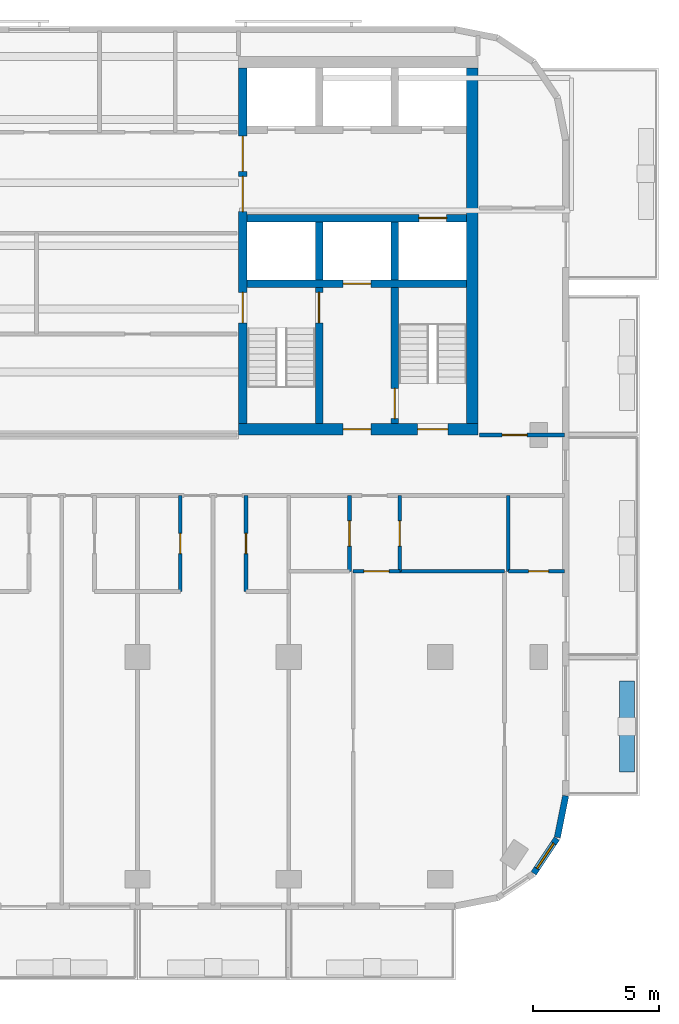
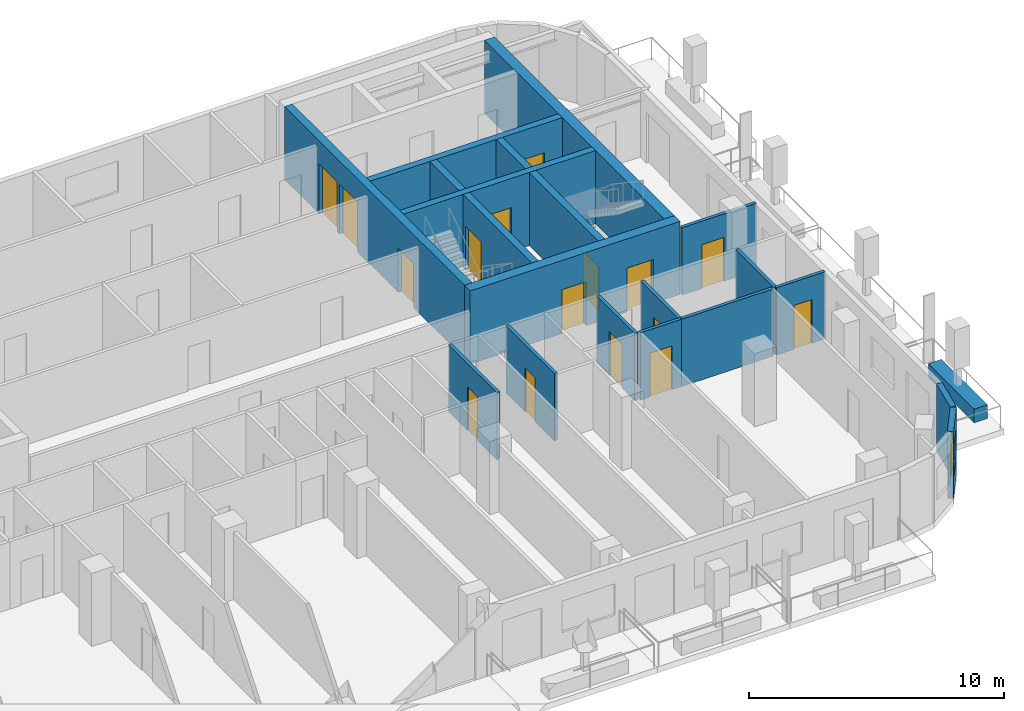
# One storey, part 5 of 11: 21 walls, 16 doors, 1 window, 17 openings.
"""IFC4 building model written with IfcOpenShell, lengths in metres."""

from ifc_helpers import new_model, si_unit, direction, frame, frame_2d, origin, place, context, subcontext, project, spatial, rectangle, extrude, material, layer, layer_set, type_object, element, fill, save


model = new_model("IFC4")

# Units and contexts
model_context = context("Model", 3, precision=1e-05, world=origin(), true_north=direction((0.0, 1.0)))
body_context = subcontext(model_context, "Body", "Model", "MODEL_VIEW")
ifc_project = project(units=[si_unit("LENGTHUNIT", "METRE"), si_unit("AREAUNIT", "SQUARE_METRE"), si_unit("VOLUMEUNIT", "CUBIC_METRE"), si_unit("PLANEANGLEUNIT", "RADIAN"), si_unit("MASSUNIT", "GRAM", prefix="KILO")], contexts=[model_context])

# Site, building, storey
site_placement = place(None, origin())
site = spatial("IfcSite", under=ifc_project, at=site_placement, CompositionType="ELEMENT")
building_placement = place(site_placement, origin())
building = spatial("IfcBuilding", under=site, at=building_placement, Name="Torana Hotel and Residences", CompositionType="ELEMENT")
storey_placement = place(building_placement, frame((0.0, 0.0, 280.60009765625)))
storey = spatial("IfcBuildingStorey", under=building, at=storey_placement, Name="L74", CompositionType="ELEMENT", Elevation=280.60009765625)

# Wall, opening, door
ifc_material_1 = material(Name="Concrete C60/75", Category="concrete")
ifc_layer_1 = layer(ifc_material_1, 0.300048828125)
ifc_layer_set_1 = layer_set([ifc_layer_1], Name="CORE WALL 300 C60/75")
wall_type_1 = type_object("IfcWallType", Name="CORE WALL 300 C60/75", PredefinedType="SHEAR", material=ifc_layer_set_1)
wall_1_placement = place(storey_placement, frame((10.35009765625, -6.39990234375, 0.0), z_axis=(0.0, 0.0, 1.0), x_axis=(1.0, 0.0, 0.0)))
wall_1 = element("IfcWall", 1, at=wall_1_placement, inside=storey, type_object=wall_type_1, Name="Core wall E row-S", PredefinedType="SHEAR", context=body_context, shape_type="SweptSolid", body=[
    extrude(rectangle(XDim=8.699951171875, YDim=0.300048828125, at=frame_2d((4.35009765625, 0.0))), origin(), (0.0, 0.0, 1.0), 3.5),
])
opening_1_placement = place(wall_1_placement, frame((6.800048828125, 0.0, 0.0)))
opening_1 = element("IfcOpeningElement", 2, at=opening_1_placement, cuts=wall_1, Name="Opening LD", PredefinedType="OPENING", context=body_context, shape_type="SweptSolid", body=[
    extrude(rectangle(XDim=1.10009765625, YDim=2.10009765625, at=frame_2d((0.550048828125, 1.050048828125))), frame((0.0, 0.159912109375, 0.0), z_axis=(0.0, -1.0, 0.0), x_axis=(1.0, 0.0, 0.0)), (0.0, 0.0, 1.0), 0.320068359375),
])
ifc_material_2 = material(Name="Stainless steel 316", Category="steel")
door_type_1 = type_object("IfcDoorType", Name="LIFT LANDING DOOR LD 1100x2100", OperationType="DOUBLE_DOOR_SLIDING", PredefinedType="USERDEFINED", material=ifc_material_2)
door_1_placement = place(opening_1_placement, origin())
door_1 = element("IfcDoor", 3, at=door_1_placement, inside=storey, type_object=door_type_1, Name="Lift landing door SV2 L74", ObjectType="LIFT LANDING DOOR", OperationType="DOUBLE_DOOR_SLIDING", OverallHeight=2.10009765625, OverallWidth=1.10009765625, PredefinedType="USERDEFINED", context=body_context, shape_type="SweptSolid", body=[
    extrude(rectangle(XDim=1.10009765625, YDim=2.10009765625, at=frame_2d((0.550048828125, 1.050048828125))), frame((0.0, 0.02490234375, 0.0), z_axis=(0.0, -1.0, 0.0), x_axis=(1.0, 0.0, 0.0)), (0.0, 0.0, 1.0), 0.050048828125),
])
fill(opening_1, door_1)

wall_2_placement = place(storey_placement, frame((10.35009765625, -9.0, 0.0), z_axis=(0.0, 0.0, 1.0), x_axis=(1.0, 0.0, 0.0)))
wall_2 = element("IfcWall", 4, at=wall_2_placement, inside=storey, type_object=wall_type_1, Name="Core wall E band", PredefinedType="SHEAR", context=body_context, shape_type="SweptSolid", body=[
    extrude(rectangle(XDim=8.699951171875, YDim=0.300048828125, at=frame_2d((4.35009765625, 0.0))), origin(), (0.0, 0.0, 1.0), 3.5),
])
opening_2_placement = place(wall_2_placement, frame((3.800048828125, 0.0, 0.0)))
opening_2 = element("IfcOpeningElement", 5, at=opening_2_placement, cuts=wall_2, Name="Opening LD", PredefinedType="OPENING", context=body_context, shape_type="SweptSolid", body=[
    extrude(rectangle(XDim=1.10009765625, YDim=2.10009765625, at=frame_2d((0.550048828125, 1.050048828125))), frame((0.0, 0.159912109375, 0.0), z_axis=(0.0, -1.0, 0.0), x_axis=(1.0, 0.0, 0.0)), (0.0, 0.0, 1.0), 0.320068359375),
])
door_2_placement = place(opening_2_placement, origin())
door_2 = element("IfcDoor", 6, at=door_2_placement, inside=storey, type_object=door_type_1, Name="Lift landing door FF2 L74", ObjectType="LIFT LANDING DOOR", OperationType="DOUBLE_DOOR_SLIDING", OverallHeight=2.10009765625, OverallWidth=1.10009765625, PredefinedType="USERDEFINED", context=body_context, shape_type="SweptSolid", body=[
    extrude(rectangle(XDim=1.10009765625, YDim=2.10009765625, at=frame_2d((0.550048828125, 1.050048828125))), frame((0.0, 0.02490234375, 0.0), z_axis=(0.0, -1.0, 0.0), x_axis=(1.0, 0.0, 0.0)), (0.0, 0.0, 1.0), 0.050048828125),
])
fill(opening_2, door_2)

# Wall
wall_3_placement = place(storey_placement, frame((13.199951171875, -8.85009765625, 0.0), z_axis=(0.0, 0.0, 1.0), x_axis=(0.0, 1.0, 0.0)))
element("IfcWall", 7, at=wall_3_placement, inside=storey, type_object=wall_type_1, Name="Core wall E x3.05-S", PredefinedType="SHEAR", context=body_context, shape_type="SweptSolid", body=[
    extrude(rectangle(XDim=2.300048828125, YDim=0.300048828125, at=frame_2d((1.14990234375, 0.0))), origin(), (0.0, 0.0, 1.0), 3.5),
])

# Wall, opening, door
wall_4_placement = place(storey_placement, frame((13.199951171875, -14.550048828125, 0.0), z_axis=(0.0, 0.0, 1.0), x_axis=(0.0, 1.0, 0.0)))
wall_4 = element("IfcWall", 8, at=wall_4_placement, inside=storey, type_object=wall_type_1, Name="Core wall E x3.05-band", PredefinedType="SHEAR", context=body_context, shape_type="SweptSolid", body=[
    extrude(rectangle(XDim=5.400146484375, YDim=0.300048828125, at=frame_2d((2.7001953125, 0.0))), origin(), (0.0, 0.0, 1.0), 3.5),
])
opening_3_placement = place(wall_4_placement, frame((4.0, 0.0, 0.0)))
opening_3 = element("IfcOpeningElement", 9, at=opening_3_placement, cuts=wall_4, Name="Opening L74-15", PredefinedType="OPENING", context=body_context, shape_type="SweptSolid", body=[
    extrude(rectangle(XDim=1.199951171875, YDim=2.10009765625, at=frame_2d((0.60009765625, 1.050048828125))), frame((0.0, 0.159912109375, 0.0), z_axis=(0.0, -1.0, 0.0), x_axis=(1.0, 0.0, 0.0)), (0.0, 0.0, 1.0), 0.320068359375),
])
ifc_material_3 = material(Name="Steel S235", Category="steel")
door_type_2 = type_object("IfcDoorType", Name="STAIR FIRE DOOR D3 1200x2100", OperationType="SINGLE_SWING_LEFT", PredefinedType="DOOR", material=ifc_material_3)
door_3_placement = place(opening_3_placement, origin())
door_3 = element("IfcDoor", 10, at=door_3_placement, inside=storey, type_object=door_type_2, Name="Stair-A-lobby door L74", OperationType="SINGLE_SWING_LEFT", OverallHeight=2.10009765625, OverallWidth=1.199951171875, PredefinedType="DOOR", context=body_context, shape_type="SweptSolid", body=[
    extrude(rectangle(XDim=1.199951171875, YDim=2.10009765625, at=frame_2d((0.60009765625, 1.050048828125))), frame((0.0, 0.02490234375, 0.0), z_axis=(0.0, -1.0, 0.0), x_axis=(1.0, 0.0, 0.0)), (0.0, 0.0, 1.0), 0.050048828125),
])
fill(opening_3, door_3)

# Wall
wall_5_placement = place(storey_placement, frame((16.199951171875, -8.85009765625, 0.0), z_axis=(0.0, 0.0, 1.0), x_axis=(0.0, 1.0, 0.0)))
element("IfcWall", 11, at=wall_5_placement, inside=storey, type_object=wall_type_1, Name="Core wall E x6.05-S", PredefinedType="SHEAR", context=body_context, shape_type="SweptSolid", body=[
    extrude(rectangle(XDim=2.300048828125, YDim=0.300048828125, at=frame_2d((1.14990234375, 0.0))), origin(), (0.0, 0.0, 1.0), 3.5),
])

# Wall, opening, door
wall_6_placement = place(storey_placement, frame((16.199951171875, -14.550048828125, 0.0), z_axis=(0.0, 0.0, 1.0), x_axis=(0.0, 1.0, 0.0)))
wall_6 = element("IfcWall", 12, at=wall_6_placement, inside=storey, type_object=wall_type_1, Name="Core wall E x6.05-band", PredefinedType="SHEAR", context=body_context, shape_type="SweptSolid", body=[
    extrude(rectangle(XDim=5.400146484375, YDim=0.300048828125, at=frame_2d((2.7001953125, 0.0))), origin(), (0.0, 0.0, 1.0), 3.5),
])
opening_4_placement = place(wall_6_placement, frame((0.199951171875, 0.0, 0.0)))
opening_4 = element("IfcOpeningElement", 13, at=opening_4_placement, cuts=wall_6, Name="Opening L74-16", PredefinedType="OPENING", context=body_context, shape_type="SweptSolid", body=[
    extrude(rectangle(XDim=1.199951171875, YDim=2.10009765625, at=frame_2d((0.60009765625, 1.050048828125))), frame((0.0, 0.159912109375, 0.0), z_axis=(0.0, -1.0, 0.0), x_axis=(1.0, 0.0, 0.0)), (0.0, 0.0, 1.0), 0.320068359375),
])
door_4_placement = place(opening_4_placement, frame((0.60009765625, 0.0, 0.0), z_axis=(0.0, 0.0, 1.0), x_axis=(-1.0, 0.0, 0.0)))
door_4 = element("IfcDoor", 14, at=door_4_placement, inside=storey, type_object=door_type_2, Name="Stair-B-lobby door L74", OperationType="SINGLE_SWING_LEFT", OverallHeight=2.10009765625, OverallWidth=1.199951171875, PredefinedType="DOOR", context=body_context, shape_type="SweptSolid", body=[
    extrude(rectangle(XDim=1.199951171875, YDim=2.10009765625, at=frame_2d((0.0, 1.050048828125))), frame((0.0, -0.02490234375, 0.0), z_axis=(0.0, 1.0, 0.0), x_axis=(-1.0, 0.0, 0.0)), (0.0, 0.0, 1.0), 0.050048828125),
])
fill(opening_4, door_4)

# Wall, openings, doors
ifc_material_4 = material(Name="Concrete C60/75", Category="concrete")
ifc_layer_2 = layer(ifc_material_4, 0.35009765625)
ifc_layer_set_2 = layer_set([ifc_layer_2], Name="CORE WALL 350 C60/75")
wall_type_2 = type_object("IfcWallType", Name="CORE WALL 350 C60/75", PredefinedType="SHEAR", material=ifc_layer_set_2)
wall_7_placement = place(storey_placement, frame((10.175048828125, -14.550048828125, 0.0), z_axis=(0.0, 0.0, 1.0), x_axis=(0.0, 1.0, 0.0)))
wall_7 = element("IfcWall", 15, at=wall_7_placement, inside=storey, type_object=wall_type_2, Name="Core wall E arch", PredefinedType="SHEAR", context=body_context, shape_type="SweptSolid", body=[
    extrude(rectangle(XDim=14.10009765625, YDim=0.35009765625, at=frame_2d((7.050048828125, 0.0))), origin(), (0.0, 0.0, 1.0), 3.5),
])
opening_5_placement = place(wall_7_placement, frame((8.39990234375, 0.0, 0.0)))
opening_5 = element("IfcOpeningElement", 16, at=opening_5_placement, cuts=wall_7, Name="Opening L74-09", PredefinedType="OPENING", context=body_context, shape_type="SweptSolid", body=[
    extrude(rectangle(XDim=1.39990234375, YDim=2.39990234375, at=frame_2d((0.699951171875, 1.199951171875))), frame((0.0, 0.18505859375, 0.0), z_axis=(0.0, -1.0, 0.0), x_axis=(1.0, 0.0, 0.0)), (0.0, 0.0, 1.0), 0.3701171875),
])
opening_6_placement = place(wall_7_placement, frame((10.0, 0.0, 0.0)))
opening_6 = element("IfcOpeningElement", 17, at=opening_6_placement, cuts=wall_7, Name="Opening L74-10", PredefinedType="OPENING", context=body_context, shape_type="SweptSolid", body=[
    extrude(rectangle(XDim=1.39990234375, YDim=2.39990234375, at=frame_2d((0.699951171875, 1.199951171875))), frame((0.0, 0.18505859375, 0.0), z_axis=(0.0, -1.0, 0.0), x_axis=(1.0, 0.0, 0.0)), (0.0, 0.0, 1.0), 0.3701171875),
])
opening_7_placement = place(wall_7_placement, frame((4.0, 0.0, 0.0)))
opening_7 = element("IfcOpeningElement", 18, at=opening_7_placement, cuts=wall_7, Name="Opening L74-11", PredefinedType="OPENING", context=body_context, shape_type="SweptSolid", body=[
    extrude(rectangle(XDim=1.199951171875, YDim=2.10009765625, at=frame_2d((0.60009765625, 1.050048828125))), frame((0.0, 0.18505859375, 0.0), z_axis=(0.0, -1.0, 0.0), x_axis=(1.0, 0.0, 0.0)), (0.0, 0.0, 1.0), 0.3701171875),
])
ifc_material_5 = material(Name="Steel S235", Category="steel")
door_type_3 = type_object("IfcDoorType", Name="LOBBY FIRE DOOR D4 1400x2400", OperationType="DOUBLE_DOOR_SINGLE_SWING", PredefinedType="DOOR", material=ifc_material_5)
door_5_placement = place(opening_5_placement, origin())
door_5 = element("IfcDoor", 19, at=door_5_placement, inside=storey, type_object=door_type_3, Name="Lobby-1 door L74", OperationType="DOUBLE_DOOR_SINGLE_SWING", OverallHeight=2.39990234375, OverallWidth=1.39990234375, PredefinedType="DOOR", context=body_context, shape_type="SweptSolid", body=[
    extrude(rectangle(XDim=1.39990234375, YDim=2.39990234375, at=frame_2d((0.699951171875, 1.199951171875))), frame((0.0, 0.02490234375, 0.0), z_axis=(0.0, -1.0, 0.0), x_axis=(1.0, 0.0, 0.0)), (0.0, 0.0, 1.0), 0.050048828125),
])
fill(opening_5, door_5)
door_6_placement = place(opening_6_placement, origin())
door_6 = element("IfcDoor", 20, at=door_6_placement, inside=storey, type_object=door_type_3, Name="Lobby-2 door L74", OperationType="DOUBLE_DOOR_SINGLE_SWING", OverallHeight=2.39990234375, OverallWidth=1.39990234375, PredefinedType="DOOR", context=body_context, shape_type="SweptSolid", body=[
    extrude(rectangle(XDim=1.39990234375, YDim=2.39990234375, at=frame_2d((0.699951171875, 1.199951171875))), frame((0.0, 0.02490234375, 0.0), z_axis=(0.0, -1.0, 0.0), x_axis=(1.0, 0.0, 0.0)), (0.0, 0.0, 1.0), 0.050048828125),
])
fill(opening_6, door_6)
door_7_placement = place(opening_7_placement, frame((0.60009765625, 0.0, 0.0), z_axis=(0.0, 0.0, 1.0), x_axis=(-1.0, 0.0, 0.0)))
door_7 = element("IfcDoor", 21, at=door_7_placement, inside=storey, type_object=door_type_2, Name="Stair-A door L74", OperationType="SINGLE_SWING_RIGHT", OverallHeight=2.10009765625, OverallWidth=1.199951171875, PredefinedType="DOOR", context=body_context, shape_type="SweptSolid", body=[
    extrude(rectangle(XDim=1.199951171875, YDim=2.10009765625, at=frame_2d((0.0, 1.050048828125))), frame((0.0, -0.02490234375, 0.0), z_axis=(0.0, 1.0, 0.0), x_axis=(-1.0, 0.0, 0.0)), (0.0, 0.0, 1.0), 0.050048828125),
])
fill(opening_7, door_7)

ifc_material_6 = material(Name="Concrete C60/75", Category="concrete")
ifc_layer_3 = layer(ifc_material_6, 0.449951171875)
ifc_layer_set_3 = layer_set([ifc_layer_3], Name="CORE WALL 450 C60/75")
wall_type_3 = type_object("IfcWallType", Name="CORE WALL 450 C60/75", PredefinedType="SHEAR", material=ifc_layer_set_3)
wall_8_placement = place(storey_placement, frame((10.0, -14.77490234375, 0.0), z_axis=(0.0, 0.0, 1.0), x_axis=(1.0, 0.0, 0.0)))
wall_8 = element("IfcWall", 22, at=wall_8_placement, inside=storey, type_object=wall_type_3, Name="Core wall E front", PredefinedType="SHEAR", context=body_context, shape_type="SweptSolid", body=[
    extrude(rectangle(XDim=9.5, YDim=0.449951171875, at=frame_2d((4.75, 0.0))), origin(), (0.0, 0.0, 1.0), 3.5),
])
opening_8_placement = place(wall_8_placement, frame((7.10009765625, 0.0, 0.0)))
opening_8 = element("IfcOpeningElement", 23, at=opening_8_placement, cuts=wall_8, Name="Opening L74-12", PredefinedType="OPENING", context=body_context, shape_type="SweptSolid", body=[
    extrude(rectangle(XDim=1.199951171875, YDim=2.10009765625, at=frame_2d((0.60009765625, 1.050048828125))), frame((0.0, 0.23486328125, 0.0), z_axis=(0.0, -1.0, 0.0), x_axis=(1.0, 0.0, 0.0)), (0.0, 0.0, 1.0), 0.469970703125),
])
opening_9_placement = place(wall_8_placement, frame((4.14990234375, 0.0, 0.0)))
opening_9 = element("IfcOpeningElement", 24, at=opening_9_placement, cuts=wall_8, Name="Opening L74-13", PredefinedType="OPENING", context=body_context, shape_type="SweptSolid", body=[
    extrude(rectangle(XDim=1.10009765625, YDim=2.10009765625, at=frame_2d((0.550048828125, 1.050048828125))), frame((0.0, 0.23486328125, 0.0), z_axis=(0.0, -1.0, 0.0), x_axis=(1.0, 0.0, 0.0)), (0.0, 0.0, 1.0), 0.469970703125),
])
ifc_material_7 = material(Name="Steel S235", Category="steel")
door_type_4 = type_object("IfcDoorType", Name="FIRE-FIGHTING LOBBY DOOR D8 1100x2100", OperationType="SINGLE_SWING_LEFT", PredefinedType="DOOR", material=ifc_material_7)
door_8_placement = place(opening_9_placement, origin())
door_8 = element("IfcDoor", 25, at=door_8_placement, inside=storey, type_object=door_type_4, Name="FF-lobby door L74", OperationType="SINGLE_SWING_RIGHT", OverallHeight=2.10009765625, OverallWidth=1.10009765625, PredefinedType="DOOR", context=body_context, shape_type="SweptSolid", body=[
    extrude(rectangle(XDim=1.10009765625, YDim=2.10009765625, at=frame_2d((0.550048828125, 1.050048828125))), frame((0.0, 0.02490234375, 0.0), z_axis=(0.0, -1.0, 0.0), x_axis=(1.0, 0.0, 0.0)), (0.0, 0.0, 1.0), 0.050048828125),
])
fill(opening_9, door_8)
door_9_placement = place(opening_8_placement, origin())
door_9 = element("IfcDoor", 26, at=door_9_placement, inside=storey, type_object=door_type_2, Name="Stair-B door L74", OperationType="SINGLE_SWING_RIGHT", OverallHeight=2.10009765625, OverallWidth=1.199951171875, PredefinedType="DOOR", context=body_context, shape_type="SweptSolid", body=[
    extrude(rectangle(XDim=1.199951171875, YDim=2.10009765625, at=frame_2d((0.60009765625, 1.050048828125))), frame((0.0, 0.02490234375, 0.0), z_axis=(0.0, -1.0, 0.0), x_axis=(1.0, 0.0, 0.0)), (0.0, 0.0, 1.0), 0.050048828125),
])
fill(opening_8, door_9)

# Wall
wall_9_placement = place(storey_placement, frame((19.27490234375, -14.550048828125, 0.0), z_axis=(0.0, 0.0, 1.0), x_axis=(0.0, 1.0, 0.0)))
element("IfcWall", 27, at=wall_9_placement, inside=storey, type_object=wall_type_3, Name="Core wall E outer", PredefinedType="SHEAR", context=body_context, shape_type="SweptSolid", body=[
    extrude(rectangle(XDim=14.10009765625, YDim=0.449951171875, at=frame_2d((7.050048828125, 0.0))), origin(), (0.0, 0.0, 1.0), 3.5),
])

# Wall, opening, window
ifc_material_8 = material(Name="Black aluminium composite panel", Category="aluminium")
ifc_layer_4 = layer(ifc_material_8, 0.00390625, Name="Cladding", Category="cladding")
ifc_material_9 = material(Name="Ventilated air cavity")
ifc_layer_5 = layer(ifc_material_9, 0.0400390625, Name="Ventilated cavity", Category="cavity")
ifc_material_10 = material(Name="Mineral wool insulation")
ifc_layer_6 = layer(ifc_material_10, 0.090087890625, Name="Insulation", Category="insulation")
ifc_material_11 = material(Name="Steel S280GD", Category="steel")
ifc_layer_7 = layer(ifc_material_11, 0.092041015625, Name="Steel stud frame", Category="structure")
ifc_material_12 = material(Name="Fire rated plasterboard")
ifc_layer_8 = layer(ifc_material_12, 0.011962890625, Name="Inner board", Category="finish")
ifc_layer_9 = layer(ifc_material_12, 0.011962890625, Name="Second board", Category="finish")
ifc_layer_set_4 = layer_set([ifc_layer_4, ifc_layer_5, ifc_layer_6, ifc_layer_7, ifc_layer_8, ifc_layer_9], Name="EW1 EXTERNAL WALL BLACK METAL CLAD 250")
wall_type_4 = type_object("IfcWallType", Name="EW1 EXTERNAL WALL BLACK METAL CLAD 250", PredefinedType="SOLIDWALL", material=ifc_layer_set_4)
wall_10_placement = place(storey_placement, frame((21.705810546875, -32.37109375, 0.0), z_axis=(0.0, 0.0, 1.0), x_axis=(0.55555029066, 0.831482937015, 0.0)))
wall_10 = element("IfcWall", 28, at=wall_10_placement, inside=storey, type_object=wall_type_4, Name="External wall L74 e0.17", PredefinedType="SOLIDWALL", context=body_context, shape_type="SweptSolid", body=[
    extrude(rectangle(XDim=1.65625, YDim=0.25, at=frame_2d((0.828125, 0.0))), origin(), (0.0, 0.0, 1.0), 3.219970703125),
])
opening_10_placement = place(wall_10_placement, frame((0.228271484375, 0.0, 0.89990234375)))
opening_10 = element("IfcOpeningElement", 29, at=opening_10_placement, cuts=wall_10, Name="Opening W5", PredefinedType="OPENING", context=body_context, shape_type="SweptSolid", body=[
    extrude(rectangle(XDim=1.199951171875, YDim=1.5, at=frame_2d((0.60009765625, 0.75))), frame((0.0, 0.135009765625, 0.0), z_axis=(0.0, -1.0, 0.0), x_axis=(1.0, 0.0, 0.0)), (0.0, 0.0, 1.0), 0.27001953125),
])
ifc_material_13 = material(Name="Dark glass in black aluminium frame", Category="aluminium")
window_type = type_object("IfcWindowType", Name="W5 CORNER FACET WINDOW 1200x1500", PartitioningType="SINGLE_PANEL", PredefinedType="WINDOW", material=ifc_material_13)
window_placement = place(opening_10_placement, origin())
window = element("IfcWindow", 30, at=window_placement, inside=storey, type_object=window_type, Name="Window L74 e0.17", OverallHeight=1.5, OverallWidth=1.199951171875, PartitioningType="SINGLE_PANEL", PredefinedType="WINDOW", context=body_context, shape_type="SweptSolid", body=[
    extrude(rectangle(XDim=1.199951171875, YDim=1.5, at=frame_2d((0.60009765625, 0.75))), frame((0.0, 0.030029296875, 0.0), z_axis=(0.0, -1.0, 0.0), x_axis=(1.0, 0.0, 0.0)), (0.0, 0.0, 1.0), 0.06005859375),
])
fill(opening_10, window)

# Wall
wall_11_placement = place(storey_placement, frame((22.64453125, -30.948974609375, 0.0), z_axis=(0.0, 0.0, 1.0), x_axis=(0.19513878023, 0.980775640221, 0.0)))
element("IfcWall", 31, at=wall_11_placement, inside=storey, type_object=wall_type_4, Name="External wall L74 e0.18", PredefinedType="SOLIDWALL", context=body_context, shape_type="SweptSolid", body=[
    extrude(rectangle(XDim=1.681396484375, YDim=0.25, at=frame_2d((0.8408203125, 0.0))), origin(), (0.0, 0.0, 1.0), 3.219970703125),
])

# Wall, opening, door
ifc_material_14 = material(Name="Gypsum plaster")
ifc_layer_10 = layer(ifc_material_14, 0.014892578125, Name="Plaster", Category="finish")
ifc_material_15 = material(Name="Concrete blockwork", Category="masonry")
ifc_layer_11 = layer(ifc_material_15, 0.1201171875, Name="Blockwork", Category="structure")
ifc_layer_12 = layer(ifc_material_14, 0.014892578125, Name="Plaster", Category="finish")
ifc_layer_set_5 = layer_set([ifc_layer_10, ifc_layer_11, ifc_layer_12], Name="FIRE PARTITION 150 BLOCKWORK")
wall_type_5 = type_object("IfcWallType", Name="FIRE PARTITION 150 BLOCKWORK", PredefinedType="PARTITIONING", material=ifc_layer_set_5)
wall_12_placement = place(storey_placement, frame((16.39990234375, -20.39990234375, 0.0), z_axis=(0.0, 0.0, 1.0), x_axis=(0.0, 1.0, 0.0)))
wall_12 = element("IfcWall", 32, at=wall_12_placement, inside=storey, type_object=wall_type_5, Name="Partition L74", PredefinedType="PARTITIONING", context=body_context, shape_type="SweptSolid", body=[
    extrude(rectangle(XDim=3.0, YDim=0.14990234375, at=frame_2d((1.5, 0.0))), origin(), (0.0, 0.0, 1.0), 3.219970703125),
])
opening_11_placement = place(wall_12_placement, frame((1.0, 0.0, 0.0)))
opening_11 = element("IfcOpeningElement", 33, at=opening_11_placement, cuts=wall_12, Name="Opening L74-52", PredefinedType="OPENING", context=body_context, shape_type="SweptSolid", body=[
    extrude(rectangle(XDim=1.0, YDim=2.10009765625, at=frame_2d((0.5, 1.050048828125))), frame((0.0, 0.0849609375, 0.0), z_axis=(0.0, -1.0, 0.0), x_axis=(1.0, 0.0, 0.0)), (0.0, 0.0, 1.0), 0.169921875),
])
ifc_material_16 = material(Name="Steel S235", Category="steel")
door_type_5 = type_object("IfcDoorType", Name="ENTRY FIRE DOOR D6 1000x2100", OperationType="SINGLE_SWING_LEFT", PredefinedType="DOOR", material=ifc_material_16)
door_10_placement = place(opening_11_placement, frame((0.5, 0.0, 0.0), z_axis=(0.0, 0.0, 1.0), x_axis=(-1.0, 0.0, 0.0)))
door_10 = element("IfcDoor", 34, at=door_10_placement, inside=storey, type_object=door_type_5, Name="Door L74", OperationType="SINGLE_SWING_LEFT", OverallHeight=2.10009765625, OverallWidth=1.0, PredefinedType="DOOR", context=body_context, shape_type="SweptSolid", body=[
    extrude(rectangle(XDim=1.0, YDim=2.10009765625, at=frame_2d((0.0, 1.050048828125))), frame((0.0, -0.02490234375, 0.0), z_axis=(0.0, 1.0, 0.0), x_axis=(-1.0, 0.0, 0.0)), (0.0, 0.0, 1.0), 0.050048828125),
])
fill(opening_11, door_10)

wall_13_placement = place(storey_placement, frame((14.39990234375, -20.39990234375, 0.0), z_axis=(0.0, 0.0, 1.0), x_axis=(0.0, 1.0, 0.0)))
wall_13 = element("IfcWall", 35, at=wall_13_placement, inside=storey, type_object=wall_type_5, Name="Partition L74", PredefinedType="PARTITIONING", context=body_context, shape_type="SweptSolid", body=[
    extrude(rectangle(XDim=3.0, YDim=0.14990234375, at=frame_2d((1.5, 0.0))), origin(), (0.0, 0.0, 1.0), 3.219970703125),
])
opening_12_placement = place(wall_13_placement, frame((1.0, 0.0, 0.0)))
opening_12 = element("IfcOpeningElement", 36, at=opening_12_placement, cuts=wall_13, Name="Opening L74-51", PredefinedType="OPENING", context=body_context, shape_type="SweptSolid", body=[
    extrude(rectangle(XDim=1.0, YDim=2.10009765625, at=frame_2d((0.5, 1.050048828125))), frame((0.0, 0.0849609375, 0.0), z_axis=(0.0, -1.0, 0.0), x_axis=(1.0, 0.0, 0.0)), (0.0, 0.0, 1.0), 0.169921875),
])
door_11_placement = place(opening_12_placement, origin())
door_11 = element("IfcDoor", 37, at=door_11_placement, inside=storey, type_object=door_type_5, Name="Door L74", OperationType="SINGLE_SWING_RIGHT", OverallHeight=2.10009765625, OverallWidth=1.0, PredefinedType="DOOR", context=body_context, shape_type="SweptSolid", body=[
    extrude(rectangle(XDim=1.0, YDim=2.10009765625, at=frame_2d((0.5, 1.050048828125))), frame((0.0, 0.02490234375, 0.0), z_axis=(0.0, -1.0, 0.0), x_axis=(1.0, 0.0, 0.0)), (0.0, 0.0, 1.0), 0.050048828125),
])
fill(opening_12, door_11)

wall_14_placement = place(storey_placement, frame((14.550048828125, -20.39990234375, 0.0), z_axis=(0.0, 0.0, 1.0), x_axis=(1.0, 0.0, 0.0)))
wall_14 = element("IfcWall", 38, at=wall_14_placement, inside=storey, type_object=wall_type_5, Name="Partition L74", PredefinedType="PARTITIONING", context=body_context, shape_type="SweptSolid", body=[
    extrude(rectangle(XDim=1.849853515625, YDim=0.14990234375, at=frame_2d((0.9248046875, 0.0))), origin(), (0.0, 0.0, 1.0), 3.219970703125),
])
opening_13_placement = place(wall_14_placement, frame((0.425048828125, 0.0, 0.0)))
opening_13 = element("IfcOpeningElement", 39, at=opening_13_placement, cuts=wall_14, Name="Opening L74-53", PredefinedType="OPENING", context=body_context, shape_type="SweptSolid", body=[
    extrude(rectangle(XDim=1.0, YDim=2.10009765625, at=frame_2d((0.5, 1.050048828125))), frame((0.0, 0.0849609375, 0.0), z_axis=(0.0, -1.0, 0.0), x_axis=(1.0, 0.0, 0.0)), (0.0, 0.0, 1.0), 0.169921875),
])
door_12_placement = place(opening_13_placement, frame((0.5, 0.0, 0.0), z_axis=(0.0, 0.0, 1.0), x_axis=(-1.0, 0.0, 0.0)))
door_12 = element("IfcDoor", 40, at=door_12_placement, inside=storey, type_object=door_type_5, Name="Door L74", OperationType="SINGLE_SWING_LEFT", OverallHeight=2.10009765625, OverallWidth=1.0, PredefinedType="DOOR", context=body_context, shape_type="SweptSolid", body=[
    extrude(rectangle(XDim=1.0, YDim=2.10009765625, at=frame_2d((0.0, 1.050048828125))), frame((0.0, -0.02490234375, 0.0), z_axis=(0.0, 1.0, 0.0), x_axis=(-1.0, 0.0, 0.0)), (0.0, 0.0, 1.0), 0.050048828125),
])
fill(opening_13, door_12)

wall_15_placement = place(storey_placement, frame((19.550048828125, -15.0, 0.0), z_axis=(0.0, 0.0, 1.0), x_axis=(1.0, 0.0, 0.0)))
wall_15 = element("IfcWall", 41, at=wall_15_placement, inside=storey, type_object=wall_type_5, Name="Partition L74", PredefinedType="PARTITIONING", context=body_context, shape_type="SweptSolid", body=[
    extrude(rectangle(XDim=3.369873046875, YDim=0.14990234375, at=frame_2d((1.68505859375, 0.0))), origin(), (0.0, 0.0, 1.0), 3.219970703125),
])
opening_14_placement = place(wall_15_placement, frame((0.89990234375, 0.0, 0.0)))
opening_14 = element("IfcOpeningElement", 42, at=opening_14_placement, cuts=wall_15, Name="Opening L74-27", PredefinedType="OPENING", context=body_context, shape_type="SweptSolid", body=[
    extrude(rectangle(XDim=1.0, YDim=2.10009765625, at=frame_2d((0.5, 1.050048828125))), frame((0.0, 0.0849609375, 0.0), z_axis=(0.0, -1.0, 0.0), x_axis=(1.0, 0.0, 0.0)), (0.0, 0.0, 1.0), 0.169921875),
])
ifc_material_17 = material(Name="Steel S235", Category="steel")
door_type_6 = type_object("IfcDoorType", Name="CORE ROOM FIRE DOOR D14 1000x2100", OperationType="SINGLE_SWING_LEFT", PredefinedType="DOOR", material=ifc_material_17)
door_13_placement = place(opening_14_placement, origin())
door_13 = element("IfcDoor", 43, at=door_13_placement, inside=storey, type_object=door_type_6, Name="Door L74", OperationType="SINGLE_SWING_LEFT", OverallHeight=2.10009765625, OverallWidth=1.0, PredefinedType="DOOR", context=body_context, shape_type="SweptSolid", body=[
    extrude(rectangle(XDim=1.0, YDim=2.10009765625, at=frame_2d((0.5, 1.050048828125))), frame((0.0, 0.02490234375, 0.0), z_axis=(0.0, -1.0, 0.0), x_axis=(1.0, 0.0, 0.0)), (0.0, 0.0, 1.0), 0.050048828125),
])
fill(opening_14, door_13)

# Wall
ifc_material_18 = material(Name="Gypsum plasterboard")
ifc_layer_13 = layer(ifc_material_18, 0.012451171875, Name="Plasterboard", Category="finish")
ifc_layer_14 = layer(ifc_material_18, 0.012451171875, Name="Plasterboard", Category="finish")
ifc_layer_15 = layer(ifc_material_11, 0.10009765625, Name="Steel studs with mineral wool", Category="insulation")
ifc_layer_16 = layer(ifc_material_18, 0.012451171875, Name="Plasterboard", Category="finish")
ifc_layer_17 = layer(ifc_material_18, 0.012451171875, Name="Plasterboard", Category="finish")
ifc_layer_set_6 = layer_set([ifc_layer_13, ifc_layer_14, ifc_layer_15, ifc_layer_16, ifc_layer_17], Name="PARTITION 150 PLASTERBOARD")
wall_type_6 = type_object("IfcWallType", Name="PARTITION 150 PLASTERBOARD", PredefinedType="PARTITIONING", material=ifc_layer_set_6)
wall_16_placement = place(storey_placement, frame((20.699951171875, -20.39990234375, 0.0), z_axis=(0.0, 0.0, 1.0), x_axis=(0.0, 1.0, 0.0)))
element("IfcWall", 44, at=wall_16_placement, inside=storey, type_object=wall_type_6, Name="Partition L74", PredefinedType="PARTITIONING", context=body_context, shape_type="SweptSolid", body=[
    extrude(rectangle(XDim=3.0, YDim=0.14990234375, at=frame_2d((1.5, 0.0))), origin(), (0.0, 0.0, 1.0), 3.219970703125),
])

# Wall, opening, door
wall_17_placement = place(storey_placement, frame((10.300048828125, -21.199951171875, 0.0), z_axis=(0.0, 0.0, 1.0), x_axis=(0.0, 1.0, 0.0)))
wall_17 = element("IfcWall", 45, at=wall_17_placement, inside=storey, type_object=wall_type_6, Name="Partition L74", PredefinedType="PARTITIONING", context=body_context, shape_type="SweptSolid", body=[
    extrude(rectangle(XDim=3.800048828125, YDim=0.14990234375, at=frame_2d((1.89990234375, 0.0))), origin(), (0.0, 0.0, 1.0), 3.219970703125),
])
opening_15_placement = place(wall_17_placement, frame((1.5, 0.0, 0.0)))
opening_15 = element("IfcOpeningElement", 46, at=opening_15_placement, cuts=wall_17, Name="Opening L74-42", PredefinedType="OPENING", context=body_context, shape_type="SweptSolid", body=[
    extrude(rectangle(XDim=0.800048828125, YDim=2.10009765625, at=frame_2d((0.39990234375, 1.050048828125))), frame((0.0, 0.0849609375, 0.0), z_axis=(0.0, -1.0, 0.0), x_axis=(1.0, 0.0, 0.0)), (0.0, 0.0, 1.0), 0.169921875),
])
ifc_material_19 = material(Name="Timber door, painted", Category="wood")
door_type_7 = type_object("IfcDoorType", Name="BATH DOOR D13 800x2100", OperationType="SINGLE_SWING_LEFT", PredefinedType="DOOR", material=ifc_material_19)
door_14_placement = place(opening_15_placement, origin())
door_14 = element("IfcDoor", 47, at=door_14_placement, inside=storey, type_object=door_type_7, Name="Door L74", OperationType="SINGLE_SWING_RIGHT", OverallHeight=2.10009765625, OverallWidth=0.800048828125, PredefinedType="DOOR", context=body_context, shape_type="SweptSolid", body=[
    extrude(rectangle(XDim=0.800048828125, YDim=2.10009765625, at=frame_2d((0.39990234375, 1.050048828125))), frame((0.0, 0.02490234375, 0.0), z_axis=(0.0, -1.0, 0.0), x_axis=(1.0, 0.0, 0.0)), (0.0, 0.0, 1.0), 0.050048828125),
])
fill(opening_15, door_14)

wall_18_placement = place(storey_placement, frame((7.699951171875, -21.199951171875, 0.0), z_axis=(0.0, 0.0, 1.0), x_axis=(0.0, 1.0, 0.0)))
wall_18 = element("IfcWall", 48, at=wall_18_placement, inside=storey, type_object=wall_type_6, Name="Partition L74", PredefinedType="PARTITIONING", context=body_context, shape_type="SweptSolid", body=[
    extrude(rectangle(XDim=3.800048828125, YDim=0.14990234375, at=frame_2d((1.89990234375, 0.0))), origin(), (0.0, 0.0, 1.0), 3.219970703125),
])
opening_16_placement = place(wall_18_placement, frame((1.5, 0.0, 0.0)))
opening_16 = element("IfcOpeningElement", 49, at=opening_16_placement, cuts=wall_18, Name="Opening L74-41", PredefinedType="OPENING", context=body_context, shape_type="SweptSolid", body=[
    extrude(rectangle(XDim=0.800048828125, YDim=2.10009765625, at=frame_2d((0.39990234375, 1.050048828125))), frame((0.0, 0.0849609375, 0.0), z_axis=(0.0, -1.0, 0.0), x_axis=(1.0, 0.0, 0.0)), (0.0, 0.0, 1.0), 0.169921875),
])
door_15_placement = place(opening_16_placement, origin())
door_15 = element("IfcDoor", 50, at=door_15_placement, inside=storey, type_object=door_type_7, Name="Door L74", OperationType="SINGLE_SWING_RIGHT", OverallHeight=2.10009765625, OverallWidth=0.800048828125, PredefinedType="DOOR", context=body_context, shape_type="SweptSolid", body=[
    extrude(rectangle(XDim=0.800048828125, YDim=2.10009765625, at=frame_2d((0.39990234375, 1.050048828125))), frame((0.0, 0.02490234375, 0.0), z_axis=(0.0, -1.0, 0.0), x_axis=(1.0, 0.0, 0.0)), (0.0, 0.0, 1.0), 0.050048828125),
])
fill(opening_16, door_15)

# Wall
wall_19_placement = place(storey_placement, frame((16.39990234375, -20.39990234375, 0.0), z_axis=(0.0, 0.0, 1.0), x_axis=(1.0, 0.0, 0.0)))
element("IfcWall", 51, at=wall_19_placement, inside=storey, type_object=wall_type_6, Name="Partition L74", PredefinedType="PARTITIONING", context=body_context, shape_type="SweptSolid", body=[
    extrude(rectangle(XDim=4.150146484375, YDim=0.14990234375, at=frame_2d((2.0751953125, 0.0))), origin(), (0.0, 0.0, 1.0), 3.219970703125),
])

# Wall, opening, door
wall_20_placement = place(storey_placement, frame((20.699951171875, -20.39990234375, 0.0), z_axis=(0.0, 0.0, 1.0), x_axis=(1.0, 0.0, 0.0)))
wall_20 = element("IfcWall", 52, at=wall_20_placement, inside=storey, type_object=wall_type_6, Name="Partition L74", PredefinedType="PARTITIONING", context=body_context, shape_type="SweptSolid", body=[
    extrude(rectangle(XDim=2.219970703125, YDim=0.14990234375, at=frame_2d((1.10986328125, 0.0))), origin(), (0.0, 0.0, 1.0), 3.219970703125),
])
opening_17_placement = place(wall_20_placement, frame((0.800048828125, 0.0, 0.0)))
opening_17 = element("IfcOpeningElement", 53, at=opening_17_placement, cuts=wall_20, Name="Opening L74-54", PredefinedType="OPENING", context=body_context, shape_type="SweptSolid", body=[
    extrude(rectangle(XDim=0.800048828125, YDim=2.10009765625, at=frame_2d((0.39990234375, 1.050048828125))), frame((0.0, 0.0849609375, 0.0), z_axis=(0.0, -1.0, 0.0), x_axis=(1.0, 0.0, 0.0)), (0.0, 0.0, 1.0), 0.169921875),
])
door_16_placement = place(opening_17_placement, origin())
door_16 = element("IfcDoor", 54, at=door_16_placement, inside=storey, type_object=door_type_7, Name="Door L74", OperationType="SINGLE_SWING_LEFT", OverallHeight=2.10009765625, OverallWidth=0.800048828125, PredefinedType="DOOR", context=body_context, shape_type="SweptSolid", body=[
    extrude(rectangle(XDim=0.800048828125, YDim=2.10009765625, at=frame_2d((0.39990234375, 1.050048828125))), frame((0.0, 0.02490234375, 0.0), z_axis=(0.0, -1.0, 0.0), x_axis=(1.0, 0.0, 0.0)), (0.0, 0.0, 1.0), 0.050048828125),
])
fill(opening_17, door_16)

# Wall
ifc_material_20 = material(Name="Concrete C40/50 precast", Category="concrete")
ifc_layer_18 = layer(ifc_material_20, 0.10009765625, Name="Planter shell", Category="structure")
ifc_material_21 = material(Name="Root resistant membrane")
ifc_layer_19 = layer(ifc_material_21, 0.00390625, Name="Waterproofing membrane", Category="membrane")
ifc_material_22 = material(Name="Drainage board with filter fleece")
ifc_layer_20 = layer(ifc_material_22, 0.02001953125, Name="Drainage board", Category="drainage")
ifc_material_23 = material(Name="Growing medium")
ifc_layer_21 = layer(ifc_material_23, 0.47607421875, Name="Planting substrate", Category="soil")
ifc_layer_set_7 = layer_set([ifc_layer_18, ifc_layer_19, ifc_layer_20, ifc_layer_21], Name="PL1 BALCONY PLANTER 600")
wall_type_7 = type_object("IfcWallType", Name="PL1 BALCONY PLANTER 600", PredefinedType="USERDEFINED", material=ifc_layer_set_7)
wall_21_placement = place(storey_placement, frame((25.39990234375, -24.75, 0.0), z_axis=(0.0, 0.0, 1.0), x_axis=(0.0, -1.0, 0.0)))
element("IfcWall", 55, at=wall_21_placement, inside=storey, type_object=wall_type_7, Name="Planter 11", ObjectType="PLANTER", PredefinedType="USERDEFINED", context=body_context, shape_type="SweptSolid", body=[
    extrude(rectangle(XDim=3.60009765625, YDim=0.60009765625, at=frame_2d((1.800048828125, 0.0))), origin(), (0.0, 0.0, 1.0), 0.64990234375),
])

save(model, "model.ifc")
